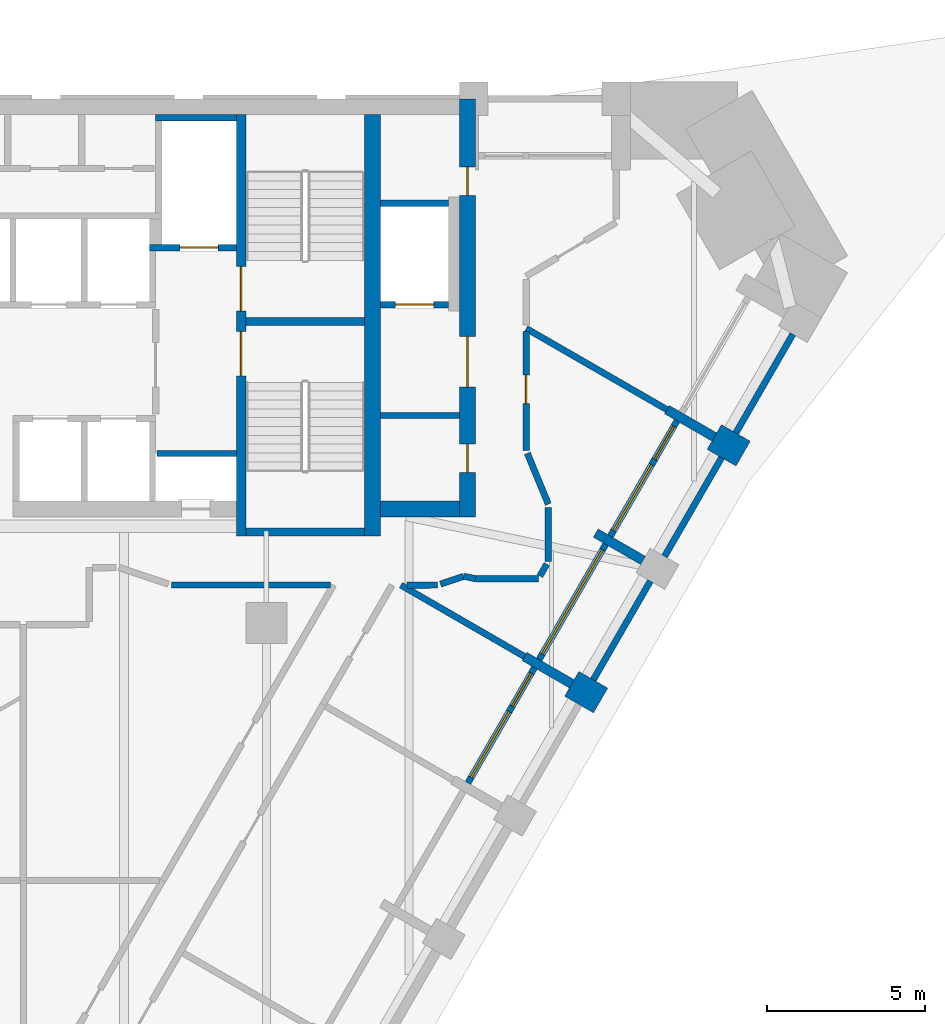
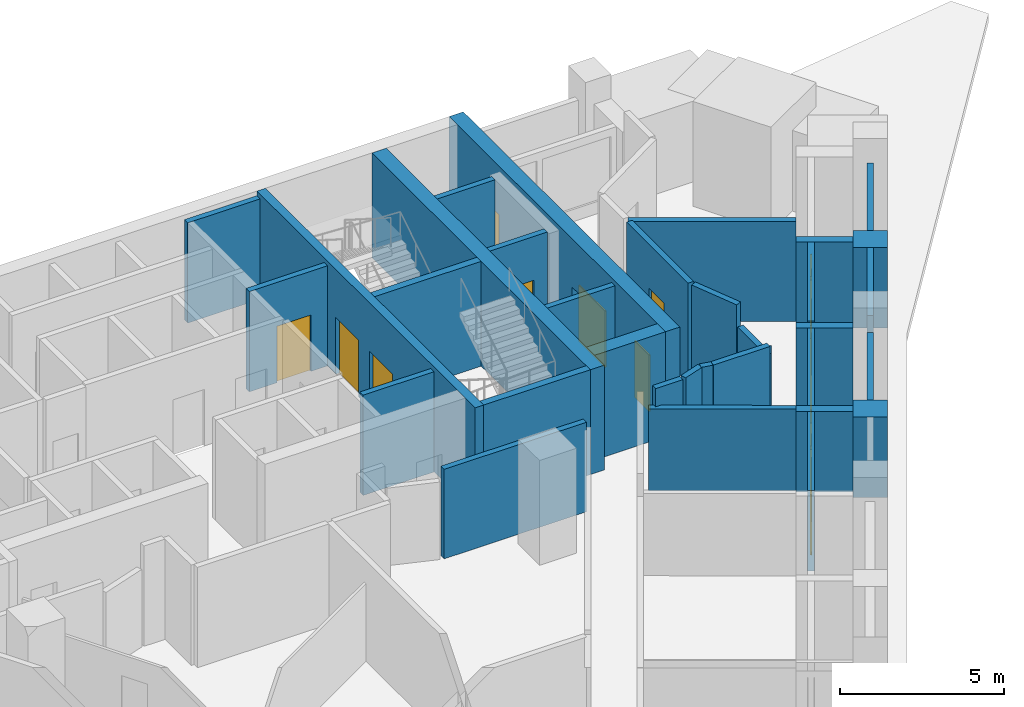
# One storey, part 7 of 10: 34 walls, 10 doors, 3 windows, 13 openings.
"""IFC4 building model written with IfcOpenShell, lengths in metres."""

from ifc_helpers import new_model, si_unit, direction, frame, frame_2d, origin, place, context, subcontext, project, spatial, rectangle, extrude, material, layer, layer_set, type_object, element, fill, save


model = new_model("IFC4")

# Units and contexts
model_context = context("Model", 3, precision=1e-05, world=origin(), true_north=direction((0.0, 1.0)))
body_context = subcontext(model_context, "Body", "Model", "MODEL_VIEW")
ifc_project = project(units=[si_unit("LENGTHUNIT", "METRE"), si_unit("AREAUNIT", "SQUARE_METRE"), si_unit("VOLUMEUNIT", "CUBIC_METRE"), si_unit("PLANEANGLEUNIT", "RADIAN"), si_unit("MASSUNIT", "GRAM", prefix="KILO")], contexts=[model_context])

# Site, building, storey
site_placement = place(None, origin())
site = spatial("IfcSite", under=ifc_project, at=site_placement, CompositionType="ELEMENT")
building_placement = place(site_placement, origin())
building = spatial("IfcBuilding", under=site, at=building_placement, Name="Calabash Gate Tower", CompositionType="ELEMENT")
storey_placement = place(building_placement, frame((0.0, 0.0, 144.60009765625)))
storey = spatial("IfcBuildingStorey", under=building, at=storey_placement, Name="L33", CompositionType="ELEMENT", Elevation=144.60009765625)

# Walls
ifc_material_1 = material(Name="Terracotta brick masonry, exposed face", Category="masonry")
ifc_layer_1 = layer(ifc_material_1, 1.050048828125)
ifc_layer_set_1 = layer_set([ifc_layer_1], Name="Brick end wall 1050")
wall_type_1 = type_object("IfcWallType", Name="Brick end wall 1050", PredefinedType="SOLIDWALL", material=ifc_layer_set_1)
for number, where, z_axis, x_axis, name in (
    (1, (19.55029296875, 0.05615234375, 0.0), (0.0, 0.0, 1.0), (-0.865988129768, 0.500064554934, 0.0), "Brick pier S09 SE4.5"),
    (2, (23.140869140625, 8.37548828125, 0.0), (0.0, 0.0, 1.0), (0.866088799389, -0.499890179513, 0.0), "Brick pier S09 SE4.7"),
):
    element("IfcWall", number, at=place(storey_placement, frame(where, z_axis=z_axis, x_axis=x_axis)), inside=storey, type_object=wall_type_1, Name=name, PredefinedType="SOLIDWALL", context=body_context, shape_type="SweptSolid", body=[
        extrude(rectangle(XDim=1.050048828125, YDim=0.89990234375, at=frame_2d((0.52490234375, 0.0))), origin(), (0.0, 0.0, 1.0), 3.0),
    ])
ifc_material_2 = material(Name="Terracotta brick masonry, exposed face", Category="masonry")
ifc_layer_2 = layer(ifc_material_2, 0.300048828125)
ifc_layer_set_2 = layer_set([ifc_layer_2], Name="Brick loggia cheek wall 300")
wall_type_2 = type_object("IfcWallType", Name="Brick loggia cheek wall 300", PredefinedType="SOLIDWALL", material=ifc_layer_set_2)
wall_1_placement = place(storey_placement, frame((18.640869140625, 0.581298828125, 0.0), z_axis=(0.0, 0.0, 1.0), x_axis=(-0.866013532718, 0.500020560727, 0.0)))
element("IfcWall", 3, at=wall_1_placement, inside=storey, type_object=wall_type_2, Name="Loggia cheek S09 SE4.5", PredefinedType="SOLIDWALL", context=body_context, shape_type="SweptSolid", body=[
    extrude(rectangle(XDim=1.72509765625, YDim=0.300048828125, at=frame_2d((0.862548828125, 0.0))), origin(), (0.0, 0.0, 1.0), 3.0),
])
wall_2_placement = place(storey_placement, frame((19.39697265625, 5.3408203125, 0.0), z_axis=(0.0, 0.0, 1.0), x_axis=(0.866013532718, -0.500020560727, 0.0)))
element("IfcWall", 4, at=wall_2_placement, inside=storey, type_object=wall_type_2, Name="Loggia cheek S09 SE4.6", PredefinedType="SOLIDWALL", context=body_context, shape_type="SweptSolid", body=[
    extrude(rectangle(XDim=1.72509765625, YDim=0.300048828125, at=frame_2d((0.862548828125, 0.0))), origin(), (0.0, 0.0, 1.0), 2.949951171875),
])
wall_3_placement = place(storey_placement, frame((23.140869140625, 8.37548828125, 0.0), z_axis=(0.0, 0.0, 1.0), x_axis=(-0.866013532718, 0.500020560727, 0.0)))
element("IfcWall", 5, at=wall_3_placement, inside=storey, type_object=wall_type_2, Name="Loggia cheek S09 SE4.7", PredefinedType="SOLIDWALL", context=body_context, shape_type="SweptSolid", body=[
    extrude(rectangle(XDim=1.72509765625, YDim=0.300048828125, at=frame_2d((0.862548828125, 0.0))), origin(), (0.0, 0.0, 1.0), 3.0),
])
ifc_material_3 = material(Name="Gypsum board on steel studs, mineral wool", Category="steel")
ifc_layer_3 = layer(ifc_material_3, 0.199951171875)
ifc_layer_set_3 = layer_set([ifc_layer_3], Name="Core partition 200 gypsum board")
wall_type_3 = type_object("IfcWallType", Name="Core partition 200 gypsum board", PredefinedType="PARTITIONING", material=ifc_layer_set_3)
wall_4_placement = place(storey_placement, frame((12.60009765625, 9.052490234375, 0.0), z_axis=(0.0, 0.0, 1.0), x_axis=(1.0, 0.0, 0.0)))
element("IfcWall", 6, at=wall_4_placement, inside=storey, type_object=wall_type_3, Name="Core partition", PredefinedType="PARTITIONING", context=body_context, shape_type="SweptSolid", body=[
    extrude(rectangle(XDim=2.5, YDim=0.199951171875, at=frame_2d((1.25, 0.0))), origin(), (0.0, 0.0, 1.0), 3.72998046875),
])
ifc_material_4 = material(Name="Concrete C70/85", Category="concrete")
ifc_layer_4 = layer(ifc_material_4, 0.25)
ifc_layer_set_4 = layer_set([ifc_layer_4], Name="Core wall 250 Concrete C70/85")
wall_type_4 = type_object("IfcWallType", Name="Core wall 250 Concrete C70/85", PredefinedType="SHEAR", material=ifc_layer_set_4)
for number, where, z_axis, x_axis, name in (
    (7, (8.35009765625, 12.027587890625, 0.0), (0.0, 0.0, 1.0), (1.0, 0.0, 0.0), "Core wall Z3-MIDE L33"),
    (8, (8.35009765625, 5.377685546875, 0.0), (0.0, 0.0, 1.0), (1.0, 0.0, 0.0), "Core wall Z3-SSE L33"),
):
    element("IfcWall", number, at=place(storey_placement, frame(where, z_axis=z_axis, x_axis=x_axis)), inside=storey, type_object=wall_type_4, Name=name, PredefinedType="SHEAR", context=body_context, shape_type="SweptSolid", body=[
        extrude(rectangle(XDim=3.75, YDim=0.25, at=frame_2d((1.875, 0.0))), origin(), (0.0, 0.0, 1.0), 3.89990234375),
    ])

# Wall, openings, doors
ifc_material_5 = material(Name="Concrete C70/85", Category="concrete")
ifc_layer_5 = layer(ifc_material_5, 0.300048828125)
ifc_layer_set_5 = layer_set([ifc_layer_5], Name="Core wall 300 Concrete C70/85")
wall_type_5 = type_object("IfcWallType", Name="Core wall 300 Concrete C70/85", PredefinedType="SHEAR", material=ifc_layer_set_5)
wall_5_placement = place(storey_placement, frame((8.199951171875, 5.252685546875, 0.0), z_axis=(0.0, 0.0, 1.0), x_axis=(0.0, 1.0, 0.0)))
wall_5 = element("IfcWall", 9, at=wall_5_placement, inside=storey, type_object=wall_type_5, Name="Core wall Z3-PARTE L33", PredefinedType="SHEAR", context=body_context, shape_type="SweptSolid", body=[
    extrude(rectangle(XDim=13.2998046875, YDim=0.300048828125, at=frame_2d((6.64990234375, 0.0))), origin(), (0.0, 0.0, 1.0), 3.89990234375),
])
opening_1_placement = place(wall_5_placement, frame((7.10009765625, 0.0, 0.0)))
opening_1 = element("IfcOpeningElement", 10, at=opening_1_placement, cuts=wall_5, Name="Opening O1-018", PredefinedType="OPENING", context=body_context, shape_type="SweptSolid", body=[
    extrude(rectangle(XDim=1.39990234375, YDim=2.10009765625, at=frame_2d((0.699951171875, 1.050048828125))), frame((0.0, 0.159912109375, 0.0), z_axis=(0.0, -1.0, 0.0), x_axis=(1.0, 0.0, 0.0)), (0.0, 0.0, 1.0), 0.320068359375),
])
opening_2_placement = place(wall_5_placement, frame((5.050048828125, 0.0, 0.0)))
opening_2 = element("IfcOpeningElement", 11, at=opening_2_placement, cuts=wall_5, Name="Opening O1-019", PredefinedType="OPENING", context=body_context, shape_type="SweptSolid", body=[
    extrude(rectangle(XDim=1.39990234375, YDim=2.10009765625, at=frame_2d((0.699951171875, 1.050048828125))), frame((0.0, 0.159912109375, 0.0), z_axis=(0.0, -1.0, 0.0), x_axis=(1.0, 0.0, 0.0)), (0.0, 0.0, 1.0), 0.320068359375),
])
ifc_material_6 = material(Name="Steel fire door set with fire-resisting glazing", Category="steel")
door_type_1 = type_object("IfcDoorType", Name="Fire door D05 1400x2100 FD90", OperationType="NOTDEFINED", PredefinedType="DOOR", material=ifc_material_6)
door_1_placement = place(opening_1_placement, origin())
door_1 = element("IfcDoor", 12, at=door_1_placement, inside=storey, type_object=door_type_1, Name="Exit stair door ST3", OperationType="SINGLE_SWING_RIGHT", OverallHeight=2.10009765625, OverallWidth=1.39990234375, PredefinedType="DOOR", context=body_context, shape_type="SweptSolid", body=[
    extrude(rectangle(XDim=1.39990234375, YDim=2.10009765625, at=frame_2d((0.699951171875, 1.050048828125))), frame((0.0, 0.02490234375, 0.0), z_axis=(0.0, -1.0, 0.0), x_axis=(1.0, 0.0, 0.0)), (0.0, 0.0, 1.0), 0.050048828125),
])
fill(opening_1, door_1)
door_2_placement = place(opening_2_placement, origin())
door_2 = element("IfcDoor", 13, at=door_2_placement, inside=storey, type_object=door_type_1, Name="Exit stair door ST4", OperationType="SINGLE_SWING_LEFT", OverallHeight=2.10009765625, OverallWidth=1.39990234375, PredefinedType="DOOR", context=body_context, shape_type="SweptSolid", body=[
    extrude(rectangle(XDim=1.39990234375, YDim=2.10009765625, at=frame_2d((0.699951171875, 1.050048828125))), frame((0.0, 0.02490234375, 0.0), z_axis=(0.0, -1.0, 0.0), x_axis=(1.0, 0.0, 0.0)), (0.0, 0.0, 1.0), 0.050048828125),
])
fill(opening_2, door_2)

# Walls
ifc_material_7 = material(Name="Concrete C70/85", Category="concrete")
ifc_layer_6 = layer(ifc_material_7, 0.5)
ifc_layer_set_6 = layer_set([ifc_layer_6], Name="Core wall 500 Concrete C70/85")
wall_type_6 = type_object("IfcWallType", Name="Core wall 500 Concrete C70/85", PredefinedType="SHEAR", material=ifc_layer_set_6)
wall_6_placement = place(storey_placement, frame((12.35009765625, 5.252685546875, 0.0), z_axis=(0.0, 0.0, 1.0), x_axis=(0.0, 1.0, 0.0)))
element("IfcWall", 14, at=wall_6_placement, inside=storey, type_object=wall_type_6, Name="Core wall Z3-COLE L33", PredefinedType="SHEAR", context=body_context, shape_type="SweptSolid", body=[
    extrude(rectangle(XDim=13.2998046875, YDim=0.5, at=frame_2d((6.64990234375, 0.0))), origin(), (0.0, 0.0, 1.0), 3.89990234375),
])
wall_7_placement = place(storey_placement, frame((12.60009765625, 6.1025390625, 0.0), z_axis=(0.0, 0.0, 1.0), x_axis=(1.0, 0.0, 0.0)))
element("IfcWall", 15, at=wall_7_placement, inside=storey, type_object=wall_type_6, Name="Core wall Z3-SE L33", PredefinedType="SHEAR", context=body_context, shape_type="SweptSolid", body=[
    extrude(rectangle(XDim=2.5, YDim=0.5, at=frame_2d((1.25, 0.0))), origin(), (0.0, 0.0, 1.0), 3.89990234375),
])

# Wall, openings, doors
wall_8_placement = place(storey_placement, frame((15.35009765625, 5.8525390625, 0.0), z_axis=(0.0, 0.0, 1.0), x_axis=(0.0, 1.0, 0.0)))
wall_8 = element("IfcWall", 16, at=wall_8_placement, inside=storey, type_object=wall_type_6, Name="Core wall Z3-ENDE L33", PredefinedType="SHEAR", context=body_context, shape_type="SweptSolid", body=[
    extrude(rectangle(XDim=13.199951171875, YDim=0.5, at=frame_2d((6.60009765625, 0.0))), origin(), (0.0, 0.0, 1.0), 3.89990234375),
])
opening_3_placement = place(wall_8_placement, frame((4.10009765625, 0.0, 0.0)))
opening_3 = element("IfcOpeningElement", 17, at=opening_3_placement, cuts=wall_8, Name="Opening O1-003", PredefinedType="OPENING", context=body_context, shape_type="SweptSolid", body=[
    extrude(rectangle(XDim=1.60009765625, YDim=2.10009765625, at=frame_2d((0.800048828125, 1.050048828125))), frame((0.0, 0.260009765625, 0.0), z_axis=(0.0, -1.0, 0.0), x_axis=(1.0, 0.0, 0.0)), (0.0, 0.0, 1.0), 0.52001953125),
])
opening_4_placement = place(wall_8_placement, frame((1.39990234375, 0.0, 0.0)))
opening_4 = element("IfcOpeningElement", 18, at=opening_4_placement, cuts=wall_8, Name="Opening O1-001", PredefinedType="OPENING", context=body_context, shape_type="SweptSolid", body=[
    extrude(rectangle(XDim=0.89990234375, YDim=2.10009765625, at=frame_2d((0.449951171875, 1.050048828125))), frame((0.0, 0.260009765625, 0.0), z_axis=(0.0, -1.0, 0.0), x_axis=(1.0, 0.0, 0.0)), (0.0, 0.0, 1.0), 0.52001953125),
])
opening_5_placement = place(wall_8_placement, frame((10.14990234375, 0.0, 0.0)))
opening_5 = element("IfcOpeningElement", 19, at=opening_5_placement, cuts=wall_8, Name="Opening O1-002", PredefinedType="OPENING", context=body_context, shape_type="SweptSolid", body=[
    extrude(rectangle(XDim=0.89990234375, YDim=2.10009765625, at=frame_2d((0.449951171875, 1.050048828125))), frame((0.0, 0.260009765625, 0.0), z_axis=(0.0, -1.0, 0.0), x_axis=(1.0, 0.0, 0.0)), (0.0, 0.0, 1.0), 0.52001953125),
])
ifc_material_8 = material(Name="Steel fire door set with fire-resisting glazing", Category="steel")
door_type_2 = type_object("IfcDoorType", Name="Double fire door D08 1600x2100 FD60", OperationType="DOUBLE_DOOR_SINGLE_SWING", PredefinedType="DOOR", material=ifc_material_8)
door_3_placement = place(opening_3_placement, origin())
door_3 = element("IfcDoor", 20, at=door_3_placement, inside=storey, type_object=door_type_2, Name="Service Lift Lobby E door", OperationType="DOUBLE_DOOR_SINGLE_SWING", OverallHeight=2.10009765625, OverallWidth=1.60009765625, PredefinedType="DOOR", context=body_context, shape_type="SweptSolid", body=[
    extrude(rectangle(XDim=1.60009765625, YDim=2.10009765625, at=frame_2d((0.800048828125, 1.050048828125))), frame((0.0, 0.02490234375, 0.0), z_axis=(0.0, -1.0, 0.0), x_axis=(1.0, 0.0, 0.0)), (0.0, 0.0, 1.0), 0.050048828125),
])
fill(opening_3, door_3)
ifc_material_9 = material(Name="Steel fire door set with fire-resisting glazing", Category="steel")
door_type_3 = type_object("IfcDoorType", Name="Fire door D06 900x2100 FD60", OperationType="NOTDEFINED", PredefinedType="DOOR", material=ifc_material_9)
door_4_placement = place(opening_4_placement, origin())
door_4 = element("IfcDoor", 21, at=door_4_placement, inside=storey, type_object=door_type_3, Name="Comms Room door", OperationType="SINGLE_SWING_RIGHT", OverallHeight=2.10009765625, OverallWidth=0.89990234375, PredefinedType="DOOR", context=body_context, shape_type="SweptSolid", body=[
    extrude(rectangle(XDim=0.89990234375, YDim=2.10009765625, at=frame_2d((0.449951171875, 1.050048828125))), frame((0.0, 0.02490234375, 0.0), z_axis=(0.0, -1.0, 0.0), x_axis=(1.0, 0.0, 0.0)), (0.0, 0.0, 1.0), 0.050048828125),
])
fill(opening_4, door_4)
door_5_placement = place(opening_5_placement, origin())
door_5 = element("IfcDoor", 22, at=door_5_placement, inside=storey, type_object=door_type_3, Name="Print Room door", OperationType="SINGLE_SWING_LEFT", OverallHeight=2.10009765625, OverallWidth=0.89990234375, PredefinedType="DOOR", context=body_context, shape_type="SweptSolid", body=[
    extrude(rectangle(XDim=0.89990234375, YDim=2.10009765625, at=frame_2d((0.449951171875, 1.050048828125))), frame((0.0, 0.02490234375, 0.0), z_axis=(0.0, -1.0, 0.0), x_axis=(1.0, 0.0, 0.0)), (0.0, 0.0, 1.0), 0.050048828125),
])
fill(opening_5, door_5)

# Walls
ifc_material_10 = material(Name="Gypsum board on steel studs, mineral wool", Category="steel")
ifc_layer_7 = layer(ifc_material_10, 0.199951171875)
ifc_layer_set_7 = layer_set([ifc_layer_7], Name="Partition 200 gypsum board EI 60")
wall_type_7 = type_object("IfcWallType", Name="Partition 200 gypsum board EI 60", PredefinedType="PARTITIONING", material=ifc_layer_set_7)
wall_9_placement = place(storey_placement, frame((6.0, 3.69970703125, 0.0), z_axis=(0.0, 0.0, 1.0), x_axis=(1.0, 0.0, 0.0)))
element("IfcWall", 23, at=wall_9_placement, inside=storey, type_object=wall_type_7, Name="Partition", PredefinedType="PARTITIONING", context=body_context, shape_type="SweptSolid", body=[
    extrude(rectangle(XDim=5.016845703125, YDim=0.199951171875, at=frame_2d((2.50830078125, 0.0))), origin(), (0.0, 0.0, 1.0), 3.33154296875),
])
wall_10_placement = place(storey_placement, frame((13.24658203125, 3.697998046875, 0.0), z_axis=(0.0, 0.0, 1.0), x_axis=(0.865845249199, -0.500311907154, 0.0)))
element("IfcWall", 24, at=wall_10_placement, inside=storey, type_object=wall_type_7, Name="Partition", PredefinedType="PARTITIONING", context=body_context, shape_type="SweptSolid", body=[
    extrude(rectangle(XDim=4.5048828125, YDim=0.199951171875, at=frame_2d((2.25244140625, 0.0))), origin(), (0.0, 0.0, 1.0), 3.0517578125),
])
wall_11_placement = place(storey_placement, frame((13.44580078125, 3.6982421875, 0.0), z_axis=(0.0, 0.0, 1.0), x_axis=(0.999999181535, 0.00127942577, 0.0)))
element("IfcWall", 25, at=wall_11_placement, inside=storey, type_object=wall_type_7, Name="Partition", PredefinedType="PARTITIONING", context=body_context, shape_type="SweptSolid", body=[
    extrude(rectangle(XDim=0.9541015625, YDim=0.199951171875, at=frame_2d((0.47705078125, 0.0))), origin(), (0.0, 0.0, 1.0), 3.72998046875),
])
wall_12_placement = place(storey_placement, frame((15.233642578125, 3.977294921875, 0.0), z_axis=(0.0, 0.0, 1.0), x_axis=(0.978153882022, -0.207882137485, 0.0)))
element("IfcWall", 26, at=wall_12_placement, inside=storey, type_object=wall_type_7, Name="Partition", PredefinedType="PARTITIONING", context=body_context, shape_type="SweptSolid", body=[
    extrude(rectangle(XDim=0.374755859375, YDim=0.199951171875, at=frame_2d((0.1875, 0.0))), origin(), (0.0, 0.0, 1.0), 3.72998046875),
])
wall_13_placement = place(storey_placement, frame((15.60009765625, 3.8994140625, 0.0), z_axis=(0.0, 0.0, 1.0), x_axis=(1.0, 0.0, 0.0)))
element("IfcWall", 27, at=wall_13_placement, inside=storey, type_object=wall_type_7, Name="Partition", PredefinedType="PARTITIONING", context=body_context, shape_type="SweptSolid", body=[
    extrude(rectangle(XDim=1.983642578125, YDim=0.199951171875, at=frame_2d((0.99169921875, 0.0))), origin(), (0.0, 0.0, 1.0), 3.72998046875),
])
wall_14_placement = place(storey_placement, frame((14.494873046875, 3.731201171875, 0.0), z_axis=(0.0, 0.0, 1.0), x_axis=(0.948745985677, 0.316039640966, 0.0)))
element("IfcWall", 28, at=wall_14_placement, inside=storey, type_object=wall_type_7, Name="Partition", PredefinedType="PARTITIONING", context=body_context, shape_type="SweptSolid", body=[
    extrude(rectangle(XDim=0.778564453125, YDim=0.199951171875, at=frame_2d((0.38916015625, 0.0))), origin(), (0.0, 0.0, 1.0), 3.72998046875),
])
wall_15_placement = place(storey_placement, frame((17.6337890625, 3.986083984375, 0.0), z_axis=(0.0, 0.0, 1.0), x_axis=(0.500258826225, 0.865875918815, 0.0)))
element("IfcWall", 29, at=wall_15_placement, inside=storey, type_object=wall_type_7, Name="Partition", PredefinedType="PARTITIONING", context=body_context, shape_type="SweptSolid", body=[
    extrude(rectangle(XDim=0.433349609375, YDim=0.199951171875, at=frame_2d((0.216796875, 0.0))), origin(), (0.0, 0.0, 1.0), 3.33154296875),
])
wall_16_placement = place(storey_placement, frame((17.900390625, 4.447998046875, 0.0), z_axis=(0.0, 0.0, 1.0), x_axis=(0.0, 1.0, 0.0)))
element("IfcWall", 30, at=wall_16_placement, inside=storey, type_object=wall_type_7, Name="Partition", PredefinedType="PARTITIONING", context=body_context, shape_type="SweptSolid", body=[
    extrude(rectangle(XDim=1.70458984375, YDim=0.199951171875, at=frame_2d((0.852294921875, 0.0))), origin(), (0.0, 0.0, 1.0), 2.949951171875),
])
wall_17_placement = place(storey_placement, frame((17.238525390625, 7.860107421875, 0.0), z_axis=(0.0, 0.0, 1.0), x_axis=(0.380742741509, -0.924681007044, 0.0)))
element("IfcWall", 31, at=wall_17_placement, inside=storey, type_object=wall_type_7, Name="Partition", PredefinedType="PARTITIONING", context=body_context, shape_type="SweptSolid", body=[
    extrude(rectangle(XDim=1.73828125, YDim=0.199951171875, at=frame_2d((0.869140625, 0.0))), origin(), (0.0, 0.0, 1.0), 3.72998046875),
])
wall_18_placement = place(storey_placement, frame((17.201904296875, 11.802001953125, 0.0), z_axis=(0.0, 0.0, 1.0), x_axis=(0.866206970465, -0.499685385335, 0.0)))
element("IfcWall", 32, at=wall_18_placement, inside=storey, type_object=wall_type_7, Name="Partition", PredefinedType="PARTITIONING", context=body_context, shape_type="SweptSolid", body=[
    extrude(rectangle(XDim=5.131591796875, YDim=0.199951171875, at=frame_2d((2.56591796875, 0.0))), origin(), (0.0, 0.0, 1.0), 3.72998046875),
])

# Wall, opening, door
wall_19_placement = place(storey_placement, frame((17.200439453125, 7.95263671875, 0.0), z_axis=(0.0, 0.0, 1.0), x_axis=(0.000390701279, 0.999999923676, 0.0)))
wall_19 = element("IfcWall", 33, at=wall_19_placement, inside=storey, type_object=wall_type_7, Name="Partition", PredefinedType="PARTITIONING", context=body_context, shape_type="SweptSolid", body=[
    extrude(rectangle(XDim=3.749267578125, YDim=0.199951171875, at=frame_2d((1.87451171875, 0.0))), origin(), (0.0, 0.0, 1.0), 3.72998046875),
])
opening_6_placement = place(wall_19_placement, frame((1.47607421875, 0.0, 0.0)))
opening_6 = element("IfcOpeningElement", 34, at=opening_6_placement, cuts=wall_19, Name="Opening 33-35-015", PredefinedType="OPENING", context=body_context, shape_type="SweptSolid", body=[
    extrude(rectangle(XDim=0.89990234375, YDim=2.10009765625, at=frame_2d((0.449951171875, 1.050048828125))), frame((0.0, 0.10986328125, 0.0), z_axis=(0.0, -1.0, 0.0), x_axis=(1.0, 0.0, 0.0)), (0.0, 0.0, 1.0), 0.219970703125),
])
ifc_material_11 = material(Name="Steel fire door set with fire-resisting glazing", Category="steel")
door_type_4 = type_object("IfcDoorType", Name="SD3 Store door 900x2100", OperationType="NOTDEFINED", PredefinedType="DOOR", material=ifc_material_11)
door_6_placement = place(opening_6_placement, origin())
door_6 = element("IfcDoor", 35, at=door_6_placement, inside=storey, type_object=door_type_4, Name="Store door", OperationType="SINGLE_SWING_LEFT", OverallHeight=2.10009765625, OverallWidth=0.89990234375, PredefinedType="DOOR", context=body_context, shape_type="SweptSolid", body=[
    extrude(rectangle(XDim=0.89990234375, YDim=2.10009765625, at=frame_2d((0.449951171875, 1.050048828125))), frame((0.0, 0.02490234375, 0.0), z_axis=(0.0, -1.0, 0.0), x_axis=(1.0, 0.0, 0.0)), (0.0, 0.0, 1.0), 0.050048828125),
])
fill(opening_6, door_6)

# Wall
ifc_material_12 = material(Name="Concrete C40/50", Category="concrete")
ifc_layer_8 = layer(ifc_material_12, 0.199951171875)
ifc_layer_set_8 = layer_set([ifc_layer_8], Name="Shaft wall 200 Concrete C40/50")
wall_type_8 = type_object("IfcWallType", Name="Shaft wall 200 Concrete C40/50", PredefinedType="SOLIDWALL", material=ifc_layer_set_8)
wall_20_placement = place(storey_placement, frame((5.550048828125, 7.8525390625, 0.0), z_axis=(0.0, 0.0, 1.0), x_axis=(1.0, 0.0, 0.0)))
element("IfcWall", 36, at=wall_20_placement, inside=storey, type_object=wall_type_8, Name="Shaft wall", PredefinedType="SOLIDWALL", context=body_context, shape_type="SweptSolid", body=[
    extrude(rectangle(XDim=2.5, YDim=0.199951171875, at=frame_2d((1.25, 0.0))), origin(), (0.0, 0.0, 1.0), 3.72998046875),
])

# Wall, opening, door
wall_21_placement = place(storey_placement, frame((12.60009765625, 12.552490234375, 0.0), z_axis=(0.0, 0.0, 1.0), x_axis=(1.0, 0.0, 0.0)))
wall_21 = element("IfcWall", 37, at=wall_21_placement, inside=storey, type_object=wall_type_8, Name="Shaft wall", PredefinedType="SOLIDWALL", context=body_context, shape_type="SweptSolid", body=[
    extrude(rectangle(XDim=2.14990234375, YDim=0.199951171875, at=frame_2d((1.074951171875, 0.0))), origin(), (0.0, 0.0, 1.0), 3.72998046875),
])
opening_7_placement = place(wall_21_placement, frame((0.47509765625, 0.0, 0.0)))
opening_7 = element("IfcOpeningElement", 38, at=opening_7_placement, cuts=wall_21, Name="Opening LD-SL1", PredefinedType="OPENING", context=body_context, shape_type="SweptSolid", body=[
    extrude(rectangle(XDim=1.199951171875, YDim=2.10009765625, at=frame_2d((0.60009765625, 1.050048828125))), frame((0.0, 0.10986328125, 0.0), z_axis=(0.0, -1.0, 0.0), x_axis=(1.0, 0.0, 0.0)), (0.0, 0.0, 1.0), 0.219970703125),
])
ifc_material_13 = material(Name="Stainless steel sliding door leaves", Category="steel")
door_type_5 = type_object("IfcDoorType", Name="Lift landing door LS3 1200x2100 FD90", OperationType="DOUBLE_DOOR_SLIDING", PredefinedType="DOOR", material=ifc_material_13)
door_7_placement = place(opening_7_placement, origin())
door_7 = element("IfcDoor", 39, at=door_7_placement, inside=storey, type_object=door_type_5, Name="Lift landing door SL1", OperationType="DOUBLE_DOOR_SLIDING", OverallHeight=2.10009765625, OverallWidth=1.199951171875, PredefinedType="DOOR", context=body_context, shape_type="SweptSolid", body=[
    extrude(rectangle(XDim=1.199951171875, YDim=2.10009765625, at=frame_2d((0.60009765625, 1.050048828125))), frame((0.0, 0.02490234375, 0.0), z_axis=(0.0, -1.0, 0.0), x_axis=(1.0, 0.0, 0.0)), (0.0, 0.0, 1.0), 0.050048828125),
])
fill(opening_7, door_7)

wall_22_placement = place(storey_placement, frame((5.300048828125, 14.3525390625, 0.0), z_axis=(0.0, 0.0, 1.0), x_axis=(1.0, 0.0, 0.0)))
wall_22 = element("IfcWall", 40, at=wall_22_placement, inside=storey, type_object=wall_type_8, Name="Shaft wall", PredefinedType="SOLIDWALL", context=body_context, shape_type="SweptSolid", body=[
    extrude(rectangle(XDim=2.75, YDim=0.199951171875, at=frame_2d((1.375, 0.0))), origin(), (0.0, 0.0, 1.0), 3.72998046875),
])
opening_8_placement = place(wall_22_placement, frame((0.97509765625, 0.0, 0.0)))
opening_8 = element("IfcOpeningElement", 41, at=opening_8_placement, cuts=wall_22, Name="Opening LD-FF2", PredefinedType="OPENING", context=body_context, shape_type="SweptSolid", body=[
    extrude(rectangle(XDim=1.199951171875, YDim=2.10009765625, at=frame_2d((0.60009765625, 1.050048828125))), frame((0.0, 0.10986328125, 0.0), z_axis=(0.0, -1.0, 0.0), x_axis=(1.0, 0.0, 0.0)), (0.0, 0.0, 1.0), 0.219970703125),
])
door_8_placement = place(opening_8_placement, origin())
door_8 = element("IfcDoor", 42, at=door_8_placement, inside=storey, type_object=door_type_5, Name="Lift landing door FF2", OperationType="DOUBLE_DOOR_SLIDING", OverallHeight=2.10009765625, OverallWidth=1.199951171875, PredefinedType="DOOR", context=body_context, shape_type="SweptSolid", body=[
    extrude(rectangle(XDim=1.199951171875, YDim=2.10009765625, at=frame_2d((0.60009765625, 1.050048828125))), frame((0.0, 0.02490234375, 0.0), z_axis=(0.0, -1.0, 0.0), x_axis=(1.0, 0.0, 0.0)), (0.0, 0.0, 1.0), 0.050048828125),
])
fill(opening_8, door_8)

# Walls
wall_23_placement = place(storey_placement, frame((12.60009765625, 15.752685546875, 0.0), z_axis=(0.0, 0.0, 1.0), x_axis=(1.0, 0.0, 0.0)))
element("IfcWall", 43, at=wall_23_placement, inside=storey, type_object=wall_type_8, Name="Shaft wall", PredefinedType="SOLIDWALL", context=body_context, shape_type="SweptSolid", body=[
    extrude(rectangle(XDim=2.14990234375, YDim=0.199951171875, at=frame_2d((1.074951171875, 0.0))), origin(), (0.0, 0.0, 1.0), 3.72998046875),
])
wall_24_placement = place(storey_placement, frame((5.5, 18.45263671875, 0.0), z_axis=(0.0, 0.0, 1.0), x_axis=(1.0, 0.0, 0.0)))
element("IfcWall", 44, at=wall_24_placement, inside=storey, type_object=wall_type_8, Name="Shaft wall", PredefinedType="SOLIDWALL", context=body_context, shape_type="SweptSolid", body=[
    extrude(rectangle(XDim=2.550048828125, YDim=0.199951171875, at=frame_2d((1.27490234375, 0.0))), origin(), (0.0, 0.0, 1.0), 3.72998046875),
])
ifc_material_14 = material(Name="Terracotta brick masonry, perforated", Category="masonry")
ifc_layer_9 = layer(ifc_material_14, 0.199951171875)
ifc_layer_set_9 = layer_set([ifc_layer_9], Name="Terracotta jaali screen A")
wall_type_9 = type_object("IfcWallType", Name="Terracotta jaali screen A", PredefinedType="SOLIDWALL", material=ifc_layer_set_9)
for number, where, z_axis, x_axis, name in (
    (45, (19.320556640625, 0.70849609375, 0.0), (0.0, 0.0, 1.0), (0.500012057535, 0.866018442252, 0.0), "SCREEN A S09 SE4.6"),
    (46, (21.570556640625, 4.60546875, 0.0), (0.0, 0.0, 1.0), (0.500012057535, 0.866018442252, 0.0), "SCREEN A S09 SE4.7"),
    (47, (23.820556640625, 8.502685546875, 0.0), (0.0, 0.0, 1.0), (0.500012057535, 0.866018442252, 0.0), "SCREEN A S09 SE4.8"),
):
    element("IfcWall", number, at=place(storey_placement, frame(where, z_axis=z_axis, x_axis=x_axis)), inside=storey, type_object=wall_type_9, Name=name, PredefinedType="SOLIDWALL", context=body_context, shape_type="SweptSolid", body=[
        extrude(rectangle(XDim=3.60009765625, YDim=0.199951171875, at=frame_2d((1.800048828125, 0.0))), origin(), (0.0, 0.0, 1.0), 3.0),
    ])

# Wall, openings, door, window
ifc_material_15 = material(Name="Aluminium framed window wall with insulated spandrel", Category="aluminium")
ifc_layer_10 = layer(ifc_material_15, 0.199951171875)
ifc_layer_set_10 = layer_set([ifc_layer_10], Name="Window wall 200")
wall_type_10 = type_object("IfcWallType", Name="Window wall 200", PredefinedType="ELEMENTEDWALL", material=ifc_layer_set_10)
wall_25_placement = place(storey_placement, frame((15.361572265625, -2.548583984375, 0.0), z_axis=(0.0, 0.0, 1.0), x_axis=(0.500002543286, 0.866023935413, 0.0)))
wall_25 = element("IfcWall", 48, at=wall_25_placement, inside=storey, type_object=wall_type_10, Name="Window wall S09 SE4.5", PredefinedType="ELEMENTEDWALL", context=body_context, shape_type="SweptSolid", body=[
    extrude(rectangle(XDim=4.2001953125, YDim=0.199951171875, at=frame_2d((2.10009765625, 0.0))), origin(), (0.0, 0.0, 1.0), 3.0),
])
opening_9_placement = place(wall_25_placement, frame((0.199951171875, 0.0, 0.449951171875)))
opening_9 = element("IfcOpeningElement", 49, at=opening_9_placement, cuts=wall_25, Name="Opening OW1", PredefinedType="OPENING", context=body_context, shape_type="SweptSolid", body=[
    extrude(rectangle(XDim=2.39990234375, YDim=2.25, at=frame_2d((1.199951171875, 1.125))), frame((0.0, 0.10986328125, 0.0), z_axis=(0.0, -1.0, 0.0), x_axis=(1.0, 0.0, 0.0)), (0.0, 0.0, 1.0), 0.219970703125),
])
opening_10_placement = place(wall_25_placement, frame((2.800048828125, 0.0, 0.0)))
opening_10 = element("IfcOpeningElement", 50, at=opening_10_placement, cuts=wall_25, Name="Opening O1-022", PredefinedType="OPENING", context=body_context, shape_type="SweptSolid", body=[
    extrude(rectangle(XDim=1.199951171875, YDim=2.699951171875, at=frame_2d((0.60009765625, 1.35009765625))), frame((0.0, 0.10986328125, 0.0), z_axis=(0.0, -1.0, 0.0), x_axis=(1.0, 0.0, 0.0)), (0.0, 0.0, 1.0), 0.219970703125),
])
ifc_material_16 = material(Name="Anodised aluminium frame, bronze finish, impact-rated laminated clear glazing", Category="aluminium")
door_type_6 = type_object("IfcDoorType", Name="Loggia door DO1 1200x2700", OperationType="SLIDING_TO_LEFT", PredefinedType="DOOR", material=ifc_material_16)
door_9_placement = place(opening_10_placement, origin())
door_9 = element("IfcDoor", 51, at=door_9_placement, inside=storey, type_object=door_type_6, Name="Loggia door S09 SE4.5", OperationType="SINGLE_SWING_LEFT", OverallHeight=2.699951171875, OverallWidth=1.199951171875, PredefinedType="DOOR", context=body_context, shape_type="SweptSolid", body=[
    extrude(rectangle(XDim=1.199951171875, YDim=2.699951171875, at=frame_2d((0.60009765625, 1.35009765625))), frame((0.0, 0.02490234375, 0.0), z_axis=(0.0, -1.0, 0.0), x_axis=(1.0, 0.0, 0.0)), (0.0, 0.0, 1.0), 0.050048828125),
])
fill(opening_10, door_9)
ifc_material_17 = material(Name="Anodised aluminium frame, bronze finish, impact-rated laminated clear glazing", Category="aluminium")
window_type_1 = type_object("IfcWindowType", Name="Window OW1 2400x2250", PartitioningType="DOUBLE_PANEL_VERTICAL", PredefinedType="WINDOW", material=ifc_material_17)
window_1_placement = place(opening_9_placement, origin())
window_1 = element("IfcWindow", 52, at=window_1_placement, inside=storey, type_object=window_type_1, Name="Window OW1 S09 SE4.5", OverallHeight=2.25, OverallWidth=2.39990234375, PartitioningType="SINGLE_PANEL", PredefinedType="WINDOW", context=body_context, shape_type="SweptSolid", body=[
    extrude(rectangle(XDim=2.39990234375, YDim=2.25, at=frame_2d((1.199951171875, 1.125))), frame((0.0, 0.030029296875, 0.0), z_axis=(0.0, -1.0, 0.0), x_axis=(1.0, 0.0, 0.0)), (0.0, 0.0, 1.0), 0.06005859375),
])
fill(opening_9, window_1)

# Wall, opening, window
wall_26_placement = place(storey_placement, frame((17.611572265625, 1.3486328125, 0.0), z_axis=(0.0, 0.0, 1.0), x_axis=(0.500027713859, 0.866009402589, 0.0)))
wall_26 = element("IfcWall", 53, at=wall_26_placement, inside=storey, type_object=wall_type_10, Name="Window wall S09 SE4.6", PredefinedType="ELEMENTEDWALL", context=body_context, shape_type="SweptSolid", body=[
    extrude(rectangle(XDim=4.199951171875, YDim=0.199951171875, at=frame_2d((2.10009765625, 0.0))), origin(), (0.0, 0.0, 1.0), 2.949951171875),
])
opening_11_placement = place(wall_26_placement, frame((0.199951171875, 0.0, 0.449951171875)))
opening_11 = element("IfcOpeningElement", 54, at=opening_11_placement, cuts=wall_26, Name="Opening OW2", PredefinedType="OPENING", context=body_context, shape_type="SweptSolid", body=[
    extrude(rectangle(XDim=3.800048828125, YDim=2.25, at=frame_2d((1.89990234375, 1.125))), frame((0.0, 0.10986328125, 0.0), z_axis=(0.0, -1.0, 0.0), x_axis=(1.0, 0.0, 0.0)), (0.0, 0.0, 1.0), 0.219970703125),
])
ifc_material_18 = material(Name="Anodised aluminium frame, bronze finish, impact-rated laminated clear glazing", Category="aluminium")
window_type_2 = type_object("IfcWindowType", Name="Window OW2 3800x2250", PartitioningType="TRIPLE_PANEL_VERTICAL", PredefinedType="WINDOW", material=ifc_material_18)
window_2_placement = place(opening_11_placement, origin())
window_2 = element("IfcWindow", 55, at=window_2_placement, inside=storey, type_object=window_type_2, Name="Window OW2 S09 SE4.6", OverallHeight=2.25, OverallWidth=3.800048828125, PartitioningType="SINGLE_PANEL", PredefinedType="WINDOW", context=body_context, shape_type="SweptSolid", body=[
    extrude(rectangle(XDim=3.800048828125, YDim=2.25, at=frame_2d((1.89990234375, 1.125))), frame((0.0, 0.030029296875, 0.0), z_axis=(0.0, -1.0, 0.0), x_axis=(1.0, 0.0, 0.0)), (0.0, 0.0, 1.0), 0.06005859375),
])
fill(opening_11, window_2)

# Wall, openings, door, window
wall_27_placement = place(storey_placement, frame((19.861572265625, 5.245849609375, 0.0), z_axis=(0.0, 0.0, 1.0), x_axis=(0.500027713859, 0.866009402589, 0.0)))
wall_27 = element("IfcWall", 56, at=wall_27_placement, inside=storey, type_object=wall_type_10, Name="Window wall S09 SE4.7", PredefinedType="ELEMENTEDWALL", context=body_context, shape_type="SweptSolid", body=[
    extrude(rectangle(XDim=4.199951171875, YDim=0.199951171875, at=frame_2d((2.10009765625, 0.0))), origin(), (0.0, 0.0, 1.0), 3.0),
])
opening_12_placement = place(wall_27_placement, frame((0.199951171875, 0.0, 0.449951171875)))
opening_12 = element("IfcOpeningElement", 57, at=opening_12_placement, cuts=wall_27, Name="Opening OW1", PredefinedType="OPENING", context=body_context, shape_type="SweptSolid", body=[
    extrude(rectangle(XDim=2.39990234375, YDim=2.25, at=frame_2d((1.199951171875, 1.125))), frame((0.0, 0.10986328125, 0.0), z_axis=(0.0, -1.0, 0.0), x_axis=(1.0, 0.0, 0.0)), (0.0, 0.0, 1.0), 0.219970703125),
])
opening_13_placement = place(wall_27_placement, frame((2.800048828125, 0.0, 0.0)))
opening_13 = element("IfcOpeningElement", 58, at=opening_13_placement, cuts=wall_27, Name="Opening O1-023", PredefinedType="OPENING", context=body_context, shape_type="SweptSolid", body=[
    extrude(rectangle(XDim=1.199951171875, YDim=2.699951171875, at=frame_2d((0.60009765625, 1.35009765625))), frame((0.0, 0.10986328125, 0.0), z_axis=(0.0, -1.0, 0.0), x_axis=(1.0, 0.0, 0.0)), (0.0, 0.0, 1.0), 0.219970703125),
])
door_10_placement = place(opening_13_placement, origin())
door_10 = element("IfcDoor", 59, at=door_10_placement, inside=storey, type_object=door_type_6, Name="Loggia door S09 SE4.7", OperationType="SINGLE_SWING_LEFT", OverallHeight=2.699951171875, OverallWidth=1.199951171875, PredefinedType="DOOR", context=body_context, shape_type="SweptSolid", body=[
    extrude(rectangle(XDim=1.199951171875, YDim=2.699951171875, at=frame_2d((0.60009765625, 1.35009765625))), frame((0.0, 0.02490234375, 0.0), z_axis=(0.0, -1.0, 0.0), x_axis=(1.0, 0.0, 0.0)), (0.0, 0.0, 1.0), 0.050048828125),
])
fill(opening_13, door_10)
window_3_placement = place(opening_12_placement, origin())
window_3 = element("IfcWindow", 60, at=window_3_placement, inside=storey, type_object=window_type_1, Name="Window OW1 S09 SE4.7", OverallHeight=2.25, OverallWidth=2.39990234375, PartitioningType="SINGLE_PANEL", PredefinedType="WINDOW", context=body_context, shape_type="SweptSolid", body=[
    extrude(rectangle(XDim=2.39990234375, YDim=2.25, at=frame_2d((1.199951171875, 1.125))), frame((0.0, 0.030029296875, 0.0), z_axis=(0.0, -1.0, 0.0), x_axis=(1.0, 0.0, 0.0)), (0.0, 0.0, 1.0), 0.06005859375),
])
fill(opening_12, window_3)

save(model, "model.ifc")
